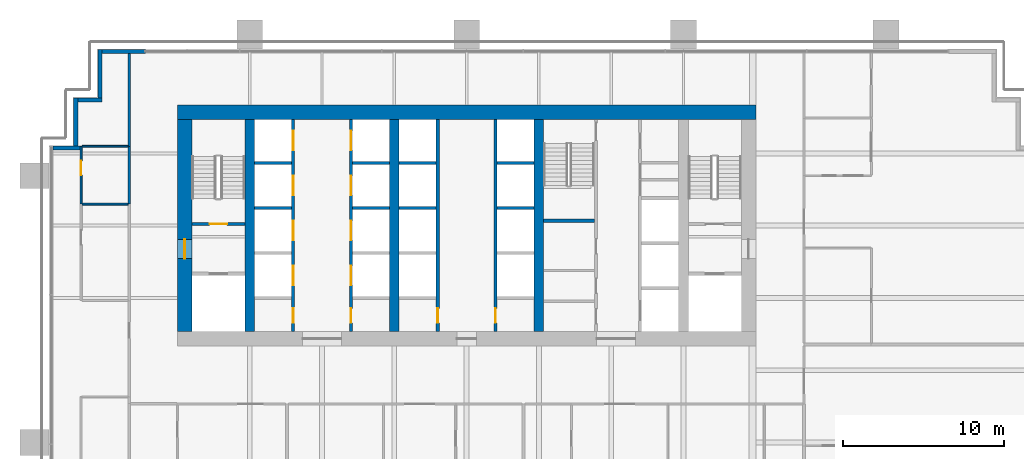
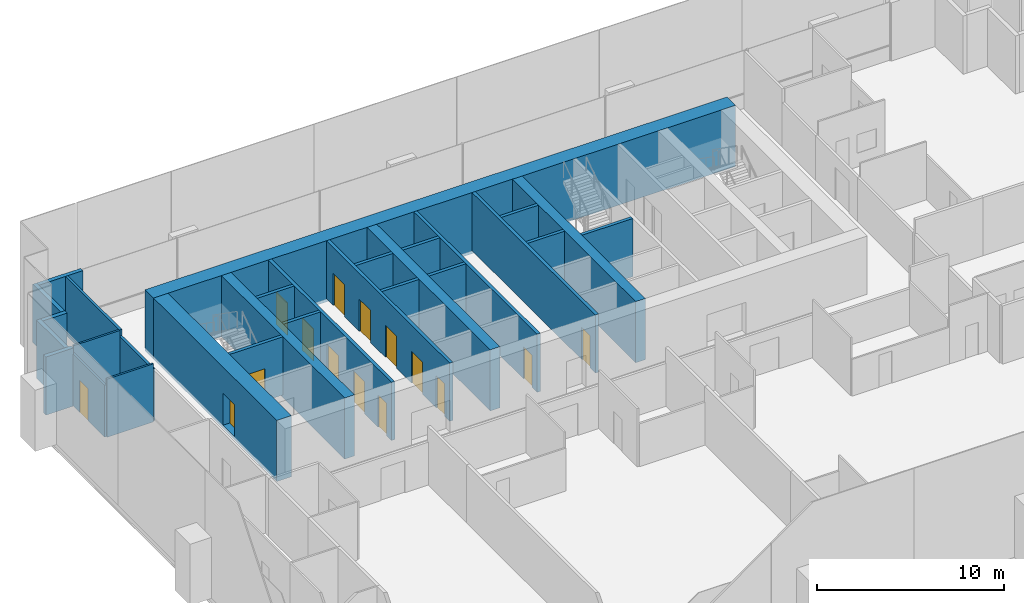
# One storey, part 14 of 19: 29 walls, 15 doors, 15 openings.
"""IFC4 building model written with IfcOpenShell, lengths in metres."""

from ifc_helpers import new_model, si_unit, direction, frame, frame_2d, origin, place, context, subcontext, project, spatial, rectangle, extrude, material, layer, layer_set, type_object, element, fill, save


model = new_model("IFC4")

# Units and contexts
model_context = context("Model", 3, precision=1e-05, world=origin(), true_north=direction((0.0, 1.0)))
body_context = subcontext(model_context, "Body", "Model", "MODEL_VIEW")
ifc_project = project(units=[si_unit("LENGTHUNIT", "METRE"), si_unit("AREAUNIT", "SQUARE_METRE"), si_unit("VOLUMEUNIT", "CUBIC_METRE"), si_unit("PLANEANGLEUNIT", "RADIAN"), si_unit("MASSUNIT", "GRAM", prefix="KILO")], contexts=[model_context])

# Site, building, storey
site_placement = place(None, origin())
site = spatial("IfcSite", under=ifc_project, at=site_placement, CompositionType="ELEMENT")
building_placement = place(site_placement, origin())
building = spatial("IfcBuilding", under=site, at=building_placement, Name="Rattan Terrace Tower", CompositionType="ELEMENT")
storey_placement = place(building_placement, frame((0.0, 0.0, 79.699951171875)))
storey = spatial("IfcBuildingStorey", under=building, at=storey_placement, Name="L17", CompositionType="ELEMENT", Elevation=79.699951171875)

# Wall, opening, door
ifc_material_1 = material(Name="Gypsum board partition")
ifc_layer_1 = layer(ifc_material_1, 0.199951171875)
ifc_layer_set_1 = layer_set([ifc_layer_1], Name="Core partition 200")
wall_type_1 = type_object("IfcWallType", Name="Core partition 200", PredefinedType="PARTITIONING", material=ifc_layer_set_1)
wall_1_placement = place(storey_placement, frame((-17.10009765625, 0.10009765625, 0.0), z_axis=(0.0, 0.0, 1.0), x_axis=(1.0, 0.0, 0.0)))
wall_1 = element("IfcWall", 1, at=wall_1_placement, inside=storey, type_object=wall_type_1, Name="Stair enclosure wall", PredefinedType="PARTITIONING", context=body_context, shape_type="SweptSolid", body=[
    extrude(rectangle(XDim=3.300048828125, YDim=0.199951171875, at=frame_2d((1.64990234375, 0.0))), origin(), (0.0, 0.0, 1.0), 3.800048828125),
])
opening_1_placement = place(wall_1_placement, frame((1.10009765625, 0.0, 0.0)))
opening_1 = element("IfcOpeningElement", 2, at=opening_1_placement, cuts=wall_1, Name="Opening L17-D002", PredefinedType="OPENING", context=body_context, shape_type="SweptSolid", body=[
    extrude(rectangle(XDim=1.10009765625, YDim=2.10009765625, at=frame_2d((0.550048828125, 1.050048828125))), frame((0.0, 0.110595703125, 0.0), z_axis=(0.0, -1.0, 0.0), x_axis=(1.0, 0.0, 0.0)), (0.0, 0.0, 1.0), 0.220947265625),
])
ifc_material_2 = material(Name="Hollow-metal fire door leaf")
door_type_1 = type_object("IfcDoorType", Name="Core stair door 1100", OperationType="NOTDEFINED", PredefinedType="DOOR", material=ifc_material_2)
door_1_placement = place(opening_1_placement, origin())
door_1 = element("IfcDoor", 3, at=door_1_placement, inside=storey, type_object=door_type_1, Name="Door L17-D002", OperationType="SINGLE_SWING_LEFT", OverallHeight=2.10009765625, OverallWidth=1.10009765625, PredefinedType="DOOR", context=body_context, shape_type="SweptSolid", body=[
    extrude(rectangle(XDim=1.10009765625, YDim=2.10009765625, at=frame_2d((0.550048828125, 1.050048828125))), frame((0.0, 0.02490234375, 0.0), z_axis=(0.0, -1.0, 0.0), x_axis=(1.0, 0.0, 0.0)), (0.0, 0.0, 1.0), 0.050048828125),
])
fill(opening_1, door_1)

# Walls
wall_2_placement = place(storey_placement, frame((4.800048828125, 0.300048828125, 0.0), z_axis=(0.0, 0.0, 1.0), x_axis=(1.0, 0.0, 0.0)))
element("IfcWall", 4, at=wall_2_placement, inside=storey, type_object=wall_type_1, Name="Stair enclosure wall", PredefinedType="PARTITIONING", context=body_context, shape_type="SweptSolid", body=[
    extrude(rectangle(XDim=3.14990234375, YDim=0.199951171875, at=frame_2d((1.574951171875, 0.0))), origin(), (0.0, 0.0, 1.0), 3.800048828125),
])
ifc_material_3 = material(Name="Concrete C70/85", Category="concrete")
ifc_layer_2 = layer(ifc_material_3, 0.89990234375)
ifc_layer_set_2 = layer_set([ifc_layer_2], Name="Core ring wall 900 C70/85")
wall_type_2 = type_object("IfcWallType", Name="Core ring wall 900 C70/85", PredefinedType="SHEAR", material=ifc_layer_set_2)
wall_3_placement = place(storey_placement, frame((-18.0, 7.050048828125, -0.199951171875), z_axis=(0.0, 0.0, 1.0), x_axis=(1.0, 0.0, 0.0)))
element("IfcWall", 5, at=wall_3_placement, inside=storey, type_object=wall_type_2, Name="Rear core wall north", PredefinedType="SHEAR", context=body_context, shape_type="SweptSolid", body=[
    extrude(rectangle(XDim=36.0, YDim=0.89990234375, at=frame_2d((18.0, 0.0))), origin(), (0.0, 0.0, 1.0), 4.0),
])

# Wall, opening, door
wall_4_placement = place(storey_placement, frame((-17.550048828125, -6.60009765625, -0.199951171875), z_axis=(0.0, 0.0, 1.0), x_axis=(0.0, 1.0, 0.0)))
wall_4 = element("IfcWall", 6, at=wall_4_placement, inside=storey, type_object=wall_type_2, Name="Rear core wall west", PredefinedType="SHEAR", context=body_context, shape_type="SweptSolid", body=[
    extrude(rectangle(XDim=13.2001953125, YDim=0.89990234375, at=frame_2d((6.60009765625, 0.0))), origin(), (0.0, 0.0, 1.0), 4.0),
])
opening_2_placement = place(wall_4_placement, frame((4.550048828125, 0.0, 0.199951171875)))
opening_2 = element("IfcOpeningElement", 7, at=opening_2_placement, cuts=wall_4, Name="Opening L17-D001", PredefinedType="OPENING", context=body_context, shape_type="SweptSolid", body=[
    extrude(rectangle(XDim=1.199951171875, YDim=2.10009765625, at=frame_2d((0.60009765625, 1.050048828125))), frame((0.0, 0.46044921875, 0.0), z_axis=(0.0, -1.0, 0.0), x_axis=(1.0, 0.0, 0.0)), (0.0, 0.0, 1.0), 0.9208984375),
])
ifc_material_4 = material(Name="Hollow-metal fire door leaf")
door_type_2 = type_object("IfcDoorType", Name="Core fire-fighting lobby door 1200", OperationType="NOTDEFINED", PredefinedType="DOOR", material=ifc_material_4)
door_2_placement = place(opening_2_placement, origin())
door_2 = element("IfcDoor", 8, at=door_2_placement, inside=storey, type_object=door_type_2, Name="Door L17-D001", OperationType="SINGLE_SWING_RIGHT", OverallHeight=2.10009765625, OverallWidth=1.199951171875, PredefinedType="DOOR", context=body_context, shape_type="SweptSolid", body=[
    extrude(rectangle(XDim=1.199951171875, YDim=2.10009765625, at=frame_2d((0.60009765625, 1.050048828125))), frame((0.0, 0.02490234375, 0.0), z_axis=(0.0, -1.0, 0.0), x_axis=(1.0, 0.0, 0.0)), (0.0, 0.0, 1.0), 0.050048828125),
])
fill(opening_2, door_2)

# Walls
ifc_material_5 = material(Name="Concrete C70/85", Category="concrete")
ifc_layer_3 = layer(ifc_material_5, 0.60009765625)
ifc_layer_set_3 = layer_set([ifc_layer_3], Name="Core spine wall 600 C70/85")
wall_type_3 = type_object("IfcWallType", Name="Core spine wall 600 C70/85", PredefinedType="SHEAR", material=ifc_layer_set_3)
for number, where, z_axis, x_axis, name in (
    (9, (-13.5, -6.60009765625, -0.199951171875), (0.0, 0.0, 1.0), (0.0, 1.0, 0.0), "Core spine wall 1"),
    (10, (-4.5, -6.60009765625, -0.199951171875), (0.0, 0.0, 1.0), (0.0, 1.0, 0.0), "Core spine wall 2"),
    (11, (4.5, -6.60009765625, -0.199951171875), (0.0, 0.0, 1.0), (0.0, 1.0, 0.0), "Core spine wall 3"),
):
    element("IfcWall", number, at=place(storey_placement, frame(where, z_axis=z_axis, x_axis=x_axis)), inside=storey, type_object=wall_type_3, Name=name, PredefinedType="SHEAR", context=body_context, shape_type="SweptSolid", body=[
        extrude(rectangle(XDim=13.2001953125, YDim=0.60009765625, at=frame_2d((6.60009765625, 0.0))), origin(), (0.0, 0.0, 1.0), 4.0),
    ])
ifc_material_6 = material(Name="Insulated aluminium-clad stud wall", Category="aluminium")
ifc_layer_4 = layer(ifc_material_6, 0.25)
ifc_layer_set_4 = layer_set([ifc_layer_4], Name="Facade Riser Wall 250")
wall_type_4 = type_object("IfcWallType", Name="Facade Riser Wall 250", PredefinedType="SOLIDWALL", material=ifc_layer_set_4)
wall_5_placement = place(storey_placement, frame((-20.0, 10.830078125, 0.0), z_axis=(0.0, 0.0, 1.0), x_axis=(-1.0, 0.0, 0.0)))
element("IfcWall", 12, at=wall_5_placement, inside=storey, type_object=wall_type_4, Name="Riser wall L17-11", PredefinedType="SOLIDWALL", context=body_context, shape_type="SweptSolid", body=[
    extrude(rectangle(XDim=2.705078125, YDim=0.25, at=frame_2d((1.3525390625, 0.0))), origin(), (0.0, 0.0, 1.0), 3.800048828125),
])
wall_6_placement = place(storey_placement, frame((-22.830078125, 10.955078125, 0.0), z_axis=(0.0, 0.0, 1.0), x_axis=(0.0, -1.0, 0.0)))
element("IfcWall", 13, at=wall_6_placement, inside=storey, type_object=wall_type_4, Name="Riser wall L17-12", PredefinedType="SOLIDWALL", context=body_context, shape_type="SweptSolid", body=[
    extrude(rectangle(XDim=3.0, YDim=0.25, at=frame_2d((1.5, 0.0))), origin(), (0.0, 0.0, 1.0), 3.800048828125),
])
wall_7_placement = place(storey_placement, frame((-22.705078125, 7.830078125, 0.0), z_axis=(0.0, 0.0, 1.0), x_axis=(-1.0, 0.0, 0.0)))
element("IfcWall", 14, at=wall_7_placement, inside=storey, type_object=wall_type_4, Name="Riser wall L17-13", PredefinedType="SOLIDWALL", context=body_context, shape_type="SweptSolid", body=[
    extrude(rectangle(XDim=1.5, YDim=0.25, at=frame_2d((0.75, 0.0))), origin(), (0.0, 0.0, 1.0), 3.800048828125),
])
wall_8_placement = place(storey_placement, frame((-24.330078125, 7.955078125, 0.0), z_axis=(0.0, 0.0, 1.0), x_axis=(0.0, -1.0, 0.0)))
element("IfcWall", 15, at=wall_8_placement, inside=storey, type_object=wall_type_4, Name="Riser wall L17-14", PredefinedType="SOLIDWALL", context=body_context, shape_type="SweptSolid", body=[
    extrude(rectangle(XDim=3.0, YDim=0.25, at=frame_2d((1.5, 0.0))), origin(), (0.0, 0.0, 1.0), 3.800048828125),
])
wall_9_placement = place(storey_placement, frame((-24.054931640625, 4.830078125, 0.0), z_axis=(0.0, 0.0, 1.0), x_axis=(-1.0, 0.0, 0.0)))
element("IfcWall", 16, at=wall_9_placement, inside=storey, type_object=wall_type_4, Name="Riser wall L17-15", PredefinedType="SOLIDWALL", context=body_context, shape_type="SweptSolid", body=[
    extrude(rectangle(XDim=1.695068359375, YDim=0.25, at=frame_2d((0.84765625, 0.0))), origin(), (0.0, 0.0, 1.0), 3.800048828125),
])
ifc_material_7 = material(Name="Gypsum board partition on steel studs, fire rated", Category="steel")
ifc_layer_5 = layer(ifc_material_7, 0.14990234375)
ifc_layer_set_5 = layer_set([ifc_layer_5], Name="Floors Tenancy Wall 150")
wall_type_5 = type_object("IfcWallType", Name="Floors Tenancy Wall 150", PredefinedType="PARTITIONING", material=ifc_layer_set_5)
wall_10_placement = place(storey_placement, frame((-21.0, 4.919921875, 0.0), z_axis=(0.0, 0.0, 1.0), x_axis=(0.0, 1.0, 0.0)))
element("IfcWall", 17, at=wall_10_placement, inside=storey, type_object=wall_type_5, Name="pt-L17-002", PredefinedType="PARTITIONING", context=body_context, shape_type="SweptSolid", body=[
    extrude(rectangle(XDim=5.820068359375, YDim=0.14990234375, at=frame_2d((2.91015625, 0.0))), origin(), (0.0, 0.0, 1.0), 3.800048828125),
])
wall_11_placement = place(storey_placement, frame((-21.0, 1.360107421875, 0.0), z_axis=(0.0, 0.0, 1.0), x_axis=(0.0, 1.0, 0.0)))
element("IfcWall", 18, at=wall_11_placement, inside=storey, type_object=wall_type_5, Name="pt-L17-005", PredefinedType="PARTITIONING", context=body_context, shape_type="SweptSolid", body=[
    extrude(rectangle(XDim=3.559814453125, YDim=0.14990234375, at=frame_2d((1.77978515625, 0.0))), origin(), (0.0, 0.0, 1.0), 3.400146484375),
])

# Wall, opening, door
ifc_material_8 = material(Name="Moisture resistant gypsum board partition on steel studs with service cavity", Category="steel")
ifc_layer_6 = layer(ifc_material_8, 0.1201171875)
ifc_layer_set_6 = layer_set([ifc_layer_6], Name="Floors Wet Wall 120")
wall_type_6 = type_object("IfcWallType", Name="Floors Wet Wall 120", PredefinedType="PARTITIONING", material=ifc_layer_set_6)
wall_12_placement = place(storey_placement, frame((-24.0, 4.93994140625, 0.0), z_axis=(0.0, 0.0, 1.0), x_axis=(0.0, -1.0, 0.0)))
wall_12 = element("IfcWall", 19, at=wall_12_placement, inside=storey, type_object=wall_type_6, Name="pt-L17-027", PredefinedType="PARTITIONING", context=body_context, shape_type="SweptSolid", body=[
    extrude(rectangle(XDim=3.579833984375, YDim=0.1201171875, at=frame_2d((1.7900390625, 0.0))), origin(), (0.0, 0.0, 1.0), 3.400146484375),
])
opening_3_placement = place(wall_12_placement, frame((0.904052734375, 0.0, 0.0)))
opening_3 = element("IfcOpeningElement", 20, at=opening_3_placement, cuts=wall_12, Name="Opening L17-D105", PredefinedType="OPENING", context=body_context, shape_type="SweptSolid", body=[
    extrude(rectangle(XDim=0.89990234375, YDim=2.10009765625, at=frame_2d((0.449951171875, 1.050048828125))), frame((0.0, 0.070556640625, 0.0), z_axis=(0.0, -1.0, 0.0), x_axis=(1.0, 0.0, 0.0)), (0.0, 0.0, 1.0), 0.14111328125),
])
ifc_material_9 = material(Name="Solid core timber door, painted", Category="wood")
door_type_3 = type_object("IfcDoorType", Name="Floors Door 900x2100", OperationType="NOTDEFINED", PredefinedType="DOOR", material=ifc_material_9)
door_3_placement = place(opening_3_placement, origin())
door_3 = element("IfcDoor", 21, at=door_3_placement, inside=storey, type_object=door_type_3, Name="d-L17-105", OperationType="SINGLE_SWING_LEFT", OverallHeight=2.10009765625, OverallWidth=0.89990234375, PredefinedType="DOOR", context=body_context, shape_type="SweptSolid", body=[
    extrude(rectangle(XDim=0.89990234375, YDim=2.10009765625, at=frame_2d((0.449951171875, 1.050048828125))), frame((0.0, 0.02490234375, 0.0), z_axis=(0.0, -1.0, 0.0), x_axis=(1.0, 0.0, 0.0)), (0.0, 0.0, 1.0), 0.050048828125),
])
fill(opening_3, door_3)

# Walls
for number, where, z_axis, x_axis, name in (
    (22, (-21.074951171875, 4.93994140625, 0.0), (0.0, 0.0, 1.0), (-1.0, 0.0, 0.0), "pt-L17-028"),
    (23, (-23.93994140625, 1.340087890625, 0.0), (0.0, 0.0, 1.0), (1.0, 0.0, 0.0), "pt-L17-036"),
):
    element("IfcWall", number, at=place(storey_placement, frame(where, z_axis=z_axis, x_axis=x_axis)), inside=storey, type_object=wall_type_6, Name=name, PredefinedType="PARTITIONING", context=body_context, shape_type="SweptSolid", body=[
        extrude(rectangle(XDim=2.864990234375, YDim=0.1201171875, at=frame_2d((1.4326171875, 0.0))), origin(), (0.0, 0.0, 1.0), 3.800048828125),
    ])

# Wall, openings, doors
ifc_material_10 = material(Name="Gypsum shaft wall system")
ifc_layer_7 = layer(ifc_material_10, 0.199951171875)
ifc_layer_set_7 = layer_set([ifc_layer_7], Name="Lift shaft wall 200")
wall_type_7 = type_object("IfcWallType", Name="Lift shaft wall 200", PredefinedType="PARTITIONING", material=ifc_layer_set_7)
wall_13_placement = place(storey_placement, frame((-10.800048828125, -6.60009765625, 0.0), z_axis=(0.0, 0.0, 1.0), x_axis=(0.0, 1.0, 0.0)))
wall_13 = element("IfcWall", 24, at=wall_13_placement, inside=storey, type_object=wall_type_7, Name="Lift shaft front wall", PredefinedType="PARTITIONING", context=body_context, shape_type="SweptSolid", body=[
    extrude(rectangle(XDim=13.2001953125, YDim=0.199951171875, at=frame_2d((6.60009765625, 0.0))), origin(), (0.0, 0.0, 1.0), 3.800048828125),
])
opening_4_placement = place(wall_13_placement, frame((0.550048828125, 0.0, 0.0)))
opening_4 = element("IfcOpeningElement", 25, at=opening_4_placement, cuts=wall_13, Name="Opening L17-D005", PredefinedType="OPENING", context=body_context, shape_type="SweptSolid", body=[
    extrude(rectangle(XDim=0.89990234375, YDim=2.10009765625, at=frame_2d((0.449951171875, 1.050048828125))), frame((0.0, 0.110595703125, 0.0), z_axis=(0.0, -1.0, 0.0), x_axis=(1.0, 0.0, 0.0)), (0.0, 0.0, 1.0), 0.220947265625),
])
opening_5_placement = place(wall_13_placement, frame((2.89990234375, 0.0, 0.0)))
opening_5 = element("IfcOpeningElement", 26, at=opening_5_placement, cuts=wall_13, Name="Opening L17-LD-LR1", PredefinedType="OPENING", context=body_context, shape_type="SweptSolid", body=[
    extrude(rectangle(XDim=1.199951171875, YDim=2.10009765625, at=frame_2d((0.60009765625, 1.050048828125))), frame((0.0, 0.110595703125, 0.0), z_axis=(0.0, -1.0, 0.0), x_axis=(1.0, 0.0, 0.0)), (0.0, 0.0, 1.0), 0.220947265625),
])
opening_6_placement = place(wall_13_placement, frame((5.699951171875, 0.0, 0.0)))
opening_6 = element("IfcOpeningElement", 27, at=opening_6_placement, cuts=wall_13, Name="Opening L17-LD-LR2", PredefinedType="OPENING", context=body_context, shape_type="SweptSolid", body=[
    extrude(rectangle(XDim=1.199951171875, YDim=2.10009765625, at=frame_2d((0.60009765625, 1.050048828125))), frame((0.0, 0.110595703125, 0.0), z_axis=(0.0, -1.0, 0.0), x_axis=(1.0, 0.0, 0.0)), (0.0, 0.0, 1.0), 0.220947265625),
])
opening_7_placement = place(wall_13_placement, frame((8.5, 0.0, 0.0)))
opening_7 = element("IfcOpeningElement", 28, at=opening_7_placement, cuts=wall_13, Name="Opening L17-LD-LR3", PredefinedType="OPENING", context=body_context, shape_type="SweptSolid", body=[
    extrude(rectangle(XDim=1.199951171875, YDim=2.10009765625, at=frame_2d((0.60009765625, 1.050048828125))), frame((0.0, 0.110595703125, 0.0), z_axis=(0.0, -1.0, 0.0), x_axis=(1.0, 0.0, 0.0)), (0.0, 0.0, 1.0), 0.220947265625),
])
opening_8_placement = place(wall_13_placement, frame((11.300048828125, 0.0, 0.0)))
opening_8 = element("IfcOpeningElement", 29, at=opening_8_placement, cuts=wall_13, Name="Opening L17-LD-LR4", PredefinedType="OPENING", context=body_context, shape_type="SweptSolid", body=[
    extrude(rectangle(XDim=1.199951171875, YDim=2.10009765625, at=frame_2d((0.60009765625, 1.050048828125))), frame((0.0, 0.110595703125, 0.0), z_axis=(0.0, -1.0, 0.0), x_axis=(1.0, 0.0, 0.0)), (0.0, 0.0, 1.0), 0.220947265625),
])
ifc_material_11 = material(Name="Brushed stainless landing door panel")
door_type_4 = type_object("IfcDoorType", Name="Core lift landing door 1200", OperationType="DOUBLE_DOOR_SLIDING", PredefinedType="DOOR", material=ifc_material_11)
door_4_placement = place(opening_5_placement, origin())
door_4 = element("IfcDoor", 30, at=door_4_placement, inside=storey, type_object=door_type_4, Name="Door L17-LD-LR1", OperationType="DOUBLE_DOOR_SLIDING", OverallHeight=2.10009765625, OverallWidth=1.199951171875, PredefinedType="DOOR", context=body_context, shape_type="SweptSolid", body=[
    extrude(rectangle(XDim=1.199951171875, YDim=2.10009765625, at=frame_2d((0.60009765625, 1.050048828125))), frame((0.0, 0.02490234375, 0.0), z_axis=(0.0, -1.0, 0.0), x_axis=(1.0, 0.0, 0.0)), (0.0, 0.0, 1.0), 0.050048828125),
])
fill(opening_5, door_4)
door_5_placement = place(opening_6_placement, origin())
door_5 = element("IfcDoor", 31, at=door_5_placement, inside=storey, type_object=door_type_4, Name="Door L17-LD-LR2", OperationType="DOUBLE_DOOR_SLIDING", OverallHeight=2.10009765625, OverallWidth=1.199951171875, PredefinedType="DOOR", context=body_context, shape_type="SweptSolid", body=[
    extrude(rectangle(XDim=1.199951171875, YDim=2.10009765625, at=frame_2d((0.60009765625, 1.050048828125))), frame((0.0, 0.02490234375, 0.0), z_axis=(0.0, -1.0, 0.0), x_axis=(1.0, 0.0, 0.0)), (0.0, 0.0, 1.0), 0.050048828125),
])
fill(opening_6, door_5)
door_6_placement = place(opening_7_placement, origin())
door_6 = element("IfcDoor", 32, at=door_6_placement, inside=storey, type_object=door_type_4, Name="Door L17-LD-LR3", OperationType="DOUBLE_DOOR_SLIDING", OverallHeight=2.10009765625, OverallWidth=1.199951171875, PredefinedType="DOOR", context=body_context, shape_type="SweptSolid", body=[
    extrude(rectangle(XDim=1.199951171875, YDim=2.10009765625, at=frame_2d((0.60009765625, 1.050048828125))), frame((0.0, 0.02490234375, 0.0), z_axis=(0.0, -1.0, 0.0), x_axis=(1.0, 0.0, 0.0)), (0.0, 0.0, 1.0), 0.050048828125),
])
fill(opening_7, door_6)
door_7_placement = place(opening_8_placement, origin())
door_7 = element("IfcDoor", 33, at=door_7_placement, inside=storey, type_object=door_type_4, Name="Door L17-LD-LR4", OperationType="DOUBLE_DOOR_SLIDING", OverallHeight=2.10009765625, OverallWidth=1.199951171875, PredefinedType="DOOR", context=body_context, shape_type="SweptSolid", body=[
    extrude(rectangle(XDim=1.199951171875, YDim=2.10009765625, at=frame_2d((0.60009765625, 1.050048828125))), frame((0.0, 0.02490234375, 0.0), z_axis=(0.0, -1.0, 0.0), x_axis=(1.0, 0.0, 0.0)), (0.0, 0.0, 1.0), 0.050048828125),
])
fill(opening_8, door_7)
ifc_material_12 = material(Name="Hollow-metal fire door leaf")
door_type_5 = type_object("IfcDoorType", Name="Core riser door 900", OperationType="NOTDEFINED", PredefinedType="DOOR", material=ifc_material_12)
door_8_placement = place(opening_4_placement, origin())
door_8 = element("IfcDoor", 34, at=door_8_placement, inside=storey, type_object=door_type_5, Name="Door L17-D005", OperationType="SINGLE_SWING_RIGHT", OverallHeight=2.10009765625, OverallWidth=0.89990234375, PredefinedType="DOOR", context=body_context, shape_type="SweptSolid", body=[
    extrude(rectangle(XDim=0.89990234375, YDim=2.10009765625, at=frame_2d((0.449951171875, 1.050048828125))), frame((0.0, 0.02490234375, 0.0), z_axis=(0.0, -1.0, 0.0), x_axis=(1.0, 0.0, 0.0)), (0.0, 0.0, 1.0), 0.050048828125),
])
fill(opening_4, door_8)

wall_14_placement = place(storey_placement, frame((-7.199951171875, -6.60009765625, 0.0), z_axis=(0.0, 0.0, 1.0), x_axis=(0.0, 1.0, 0.0)))
wall_14 = element("IfcWall", 35, at=wall_14_placement, inside=storey, type_object=wall_type_7, Name="Lift shaft front wall", PredefinedType="PARTITIONING", context=body_context, shape_type="SweptSolid", body=[
    extrude(rectangle(XDim=13.2001953125, YDim=0.199951171875, at=frame_2d((6.60009765625, 0.0))), origin(), (0.0, 0.0, 1.0), 3.800048828125),
])
opening_9_placement = place(wall_14_placement, frame((0.550048828125, 0.0, 0.0)))
opening_9 = element("IfcOpeningElement", 36, at=opening_9_placement, cuts=wall_14, Name="Opening L17-D006", PredefinedType="OPENING", context=body_context, shape_type="SweptSolid", body=[
    extrude(rectangle(XDim=0.89990234375, YDim=2.10009765625, at=frame_2d((0.449951171875, 1.050048828125))), frame((0.0, 0.110595703125, 0.0), z_axis=(0.0, -1.0, 0.0), x_axis=(1.0, 0.0, 0.0)), (0.0, 0.0, 1.0), 0.220947265625),
])
opening_10_placement = place(wall_14_placement, frame((2.89990234375, 0.0, 0.0)))
opening_10 = element("IfcOpeningElement", 37, at=opening_10_placement, cuts=wall_14, Name="Opening L17-LD-LR5", PredefinedType="OPENING", context=body_context, shape_type="SweptSolid", body=[
    extrude(rectangle(XDim=1.199951171875, YDim=2.10009765625, at=frame_2d((0.60009765625, 1.050048828125))), frame((0.0, 0.110595703125, 0.0), z_axis=(0.0, -1.0, 0.0), x_axis=(1.0, 0.0, 0.0)), (0.0, 0.0, 1.0), 0.220947265625),
])
opening_11_placement = place(wall_14_placement, frame((5.699951171875, 0.0, 0.0)))
opening_11 = element("IfcOpeningElement", 38, at=opening_11_placement, cuts=wall_14, Name="Opening L17-LD-LR6", PredefinedType="OPENING", context=body_context, shape_type="SweptSolid", body=[
    extrude(rectangle(XDim=1.199951171875, YDim=2.10009765625, at=frame_2d((0.60009765625, 1.050048828125))), frame((0.0, 0.110595703125, 0.0), z_axis=(0.0, -1.0, 0.0), x_axis=(1.0, 0.0, 0.0)), (0.0, 0.0, 1.0), 0.220947265625),
])
opening_12_placement = place(wall_14_placement, frame((8.5, 0.0, 0.0)))
opening_12 = element("IfcOpeningElement", 39, at=opening_12_placement, cuts=wall_14, Name="Opening L17-LD-LR7", PredefinedType="OPENING", context=body_context, shape_type="SweptSolid", body=[
    extrude(rectangle(XDim=1.199951171875, YDim=2.10009765625, at=frame_2d((0.60009765625, 1.050048828125))), frame((0.0, 0.110595703125, 0.0), z_axis=(0.0, -1.0, 0.0), x_axis=(1.0, 0.0, 0.0)), (0.0, 0.0, 1.0), 0.220947265625),
])
opening_13_placement = place(wall_14_placement, frame((11.300048828125, 0.0, 0.0)))
opening_13 = element("IfcOpeningElement", 40, at=opening_13_placement, cuts=wall_14, Name="Opening L17-LD-LR8", PredefinedType="OPENING", context=body_context, shape_type="SweptSolid", body=[
    extrude(rectangle(XDim=1.199951171875, YDim=2.10009765625, at=frame_2d((0.60009765625, 1.050048828125))), frame((0.0, 0.110595703125, 0.0), z_axis=(0.0, -1.0, 0.0), x_axis=(1.0, 0.0, 0.0)), (0.0, 0.0, 1.0), 0.220947265625),
])
door_9_placement = place(opening_10_placement, origin())
door_9 = element("IfcDoor", 41, at=door_9_placement, inside=storey, type_object=door_type_4, Name="Door L17-LD-LR5", OperationType="DOUBLE_DOOR_SLIDING", OverallHeight=2.10009765625, OverallWidth=1.199951171875, PredefinedType="DOOR", context=body_context, shape_type="SweptSolid", body=[
    extrude(rectangle(XDim=1.199951171875, YDim=2.10009765625, at=frame_2d((0.60009765625, 1.050048828125))), frame((0.0, 0.02490234375, 0.0), z_axis=(0.0, -1.0, 0.0), x_axis=(1.0, 0.0, 0.0)), (0.0, 0.0, 1.0), 0.050048828125),
])
fill(opening_10, door_9)
door_10_placement = place(opening_11_placement, origin())
door_10 = element("IfcDoor", 42, at=door_10_placement, inside=storey, type_object=door_type_4, Name="Door L17-LD-LR6", OperationType="DOUBLE_DOOR_SLIDING", OverallHeight=2.10009765625, OverallWidth=1.199951171875, PredefinedType="DOOR", context=body_context, shape_type="SweptSolid", body=[
    extrude(rectangle(XDim=1.199951171875, YDim=2.10009765625, at=frame_2d((0.60009765625, 1.050048828125))), frame((0.0, 0.02490234375, 0.0), z_axis=(0.0, -1.0, 0.0), x_axis=(1.0, 0.0, 0.0)), (0.0, 0.0, 1.0), 0.050048828125),
])
fill(opening_11, door_10)
door_11_placement = place(opening_12_placement, origin())
door_11 = element("IfcDoor", 43, at=door_11_placement, inside=storey, type_object=door_type_4, Name="Door L17-LD-LR7", OperationType="DOUBLE_DOOR_SLIDING", OverallHeight=2.10009765625, OverallWidth=1.199951171875, PredefinedType="DOOR", context=body_context, shape_type="SweptSolid", body=[
    extrude(rectangle(XDim=1.199951171875, YDim=2.10009765625, at=frame_2d((0.60009765625, 1.050048828125))), frame((0.0, 0.02490234375, 0.0), z_axis=(0.0, -1.0, 0.0), x_axis=(1.0, 0.0, 0.0)), (0.0, 0.0, 1.0), 0.050048828125),
])
fill(opening_12, door_11)
door_12_placement = place(opening_13_placement, origin())
door_12 = element("IfcDoor", 44, at=door_12_placement, inside=storey, type_object=door_type_4, Name="Door L17-LD-LR8", OperationType="DOUBLE_DOOR_SLIDING", OverallHeight=2.10009765625, OverallWidth=1.199951171875, PredefinedType="DOOR", context=body_context, shape_type="SweptSolid", body=[
    extrude(rectangle(XDim=1.199951171875, YDim=2.10009765625, at=frame_2d((0.60009765625, 1.050048828125))), frame((0.0, 0.02490234375, 0.0), z_axis=(0.0, -1.0, 0.0), x_axis=(1.0, 0.0, 0.0)), (0.0, 0.0, 1.0), 0.050048828125),
])
fill(opening_13, door_12)
door_13_placement = place(opening_9_placement, origin())
door_13 = element("IfcDoor", 45, at=door_13_placement, inside=storey, type_object=door_type_5, Name="Door L17-D006", OperationType="SINGLE_SWING_LEFT", OverallHeight=2.10009765625, OverallWidth=0.89990234375, PredefinedType="DOOR", context=body_context, shape_type="SweptSolid", body=[
    extrude(rectangle(XDim=0.89990234375, YDim=2.10009765625, at=frame_2d((0.449951171875, 1.050048828125))), frame((0.0, 0.02490234375, 0.0), z_axis=(0.0, -1.0, 0.0), x_axis=(1.0, 0.0, 0.0)), (0.0, 0.0, 1.0), 0.050048828125),
])
fill(opening_9, door_13)

# Walls
for number, where, z_axis, x_axis, name in (
    (46, (-13.199951171875, 1.10009765625, 0.0), (0.0, 0.0, 1.0), (1.0, 0.0, 0.0), "Lift shaft wall"),
    (47, (-13.199951171875, 3.89990234375, 0.0), (0.0, 0.0, 1.0), (1.0, 0.0, 0.0), "Lift shaft wall"),
    (48, (-7.10009765625, 1.10009765625, 0.0), (0.0, 0.0, 1.0), (1.0, 0.0, 0.0), "Lift shaft wall"),
    (49, (-7.10009765625, 3.89990234375, 0.0), (0.0, 0.0, 1.0), (1.0, 0.0, 0.0), "Lift shaft wall"),
):
    element("IfcWall", number, at=place(storey_placement, frame(where, z_axis=z_axis, x_axis=x_axis)), inside=storey, type_object=wall_type_7, Name=name, PredefinedType="PARTITIONING", context=body_context, shape_type="SweptSolid", body=[
        extrude(rectangle(XDim=2.300048828125, YDim=0.199951171875, at=frame_2d((1.14990234375, 0.0))), origin(), (0.0, 0.0, 1.0), 3.800048828125),
    ])

# Wall, opening, door
wall_15_placement = place(storey_placement, frame((-1.800048828125, -6.60009765625, 0.0), z_axis=(0.0, 0.0, 1.0), x_axis=(0.0, 1.0, 0.0)))
wall_15 = element("IfcWall", 50, at=wall_15_placement, inside=storey, type_object=wall_type_7, Name="Lift shaft front wall", PredefinedType="PARTITIONING", context=body_context, shape_type="SweptSolid", body=[
    extrude(rectangle(XDim=13.2001953125, YDim=0.199951171875, at=frame_2d((6.60009765625, 0.0))), origin(), (0.0, 0.0, 1.0), 3.800048828125),
])
opening_14_placement = place(wall_15_placement, frame((0.550048828125, 0.0, 0.0)))
opening_14 = element("IfcOpeningElement", 51, at=opening_14_placement, cuts=wall_15, Name="Opening L17-D008", PredefinedType="OPENING", context=body_context, shape_type="SweptSolid", body=[
    extrude(rectangle(XDim=0.89990234375, YDim=2.10009765625, at=frame_2d((0.449951171875, 1.050048828125))), frame((0.0, 0.110595703125, 0.0), z_axis=(0.0, -1.0, 0.0), x_axis=(1.0, 0.0, 0.0)), (0.0, 0.0, 1.0), 0.220947265625),
])
door_14_placement = place(opening_14_placement, origin())
door_14 = element("IfcDoor", 52, at=door_14_placement, inside=storey, type_object=door_type_5, Name="Door L17-D008", OperationType="SINGLE_SWING_RIGHT", OverallHeight=2.10009765625, OverallWidth=0.89990234375, PredefinedType="DOOR", context=body_context, shape_type="SweptSolid", body=[
    extrude(rectangle(XDim=0.89990234375, YDim=2.10009765625, at=frame_2d((0.449951171875, 1.050048828125))), frame((0.0, 0.02490234375, 0.0), z_axis=(0.0, -1.0, 0.0), x_axis=(1.0, 0.0, 0.0)), (0.0, 0.0, 1.0), 0.050048828125),
])
fill(opening_14, door_14)

wall_16_placement = place(storey_placement, frame((1.800048828125, -6.60009765625, 0.0), z_axis=(0.0, 0.0, 1.0), x_axis=(0.0, 1.0, 0.0)))
wall_16 = element("IfcWall", 53, at=wall_16_placement, inside=storey, type_object=wall_type_7, Name="Lift shaft front wall", PredefinedType="PARTITIONING", context=body_context, shape_type="SweptSolid", body=[
    extrude(rectangle(XDim=13.2001953125, YDim=0.199951171875, at=frame_2d((6.60009765625, 0.0))), origin(), (0.0, 0.0, 1.0), 3.800048828125),
])
opening_15_placement = place(wall_16_placement, frame((0.550048828125, 0.0, 0.0)))
opening_15 = element("IfcOpeningElement", 54, at=opening_15_placement, cuts=wall_16, Name="Opening L17-D009", PredefinedType="OPENING", context=body_context, shape_type="SweptSolid", body=[
    extrude(rectangle(XDim=0.89990234375, YDim=2.10009765625, at=frame_2d((0.449951171875, 1.050048828125))), frame((0.0, 0.110595703125, 0.0), z_axis=(0.0, -1.0, 0.0), x_axis=(1.0, 0.0, 0.0)), (0.0, 0.0, 1.0), 0.220947265625),
])
door_15_placement = place(opening_15_placement, origin())
door_15 = element("IfcDoor", 55, at=door_15_placement, inside=storey, type_object=door_type_5, Name="Door L17-D009", OperationType="SINGLE_SWING_LEFT", OverallHeight=2.10009765625, OverallWidth=0.89990234375, PredefinedType="DOOR", context=body_context, shape_type="SweptSolid", body=[
    extrude(rectangle(XDim=0.89990234375, YDim=2.10009765625, at=frame_2d((0.449951171875, 1.050048828125))), frame((0.0, 0.02490234375, 0.0), z_axis=(0.0, -1.0, 0.0), x_axis=(1.0, 0.0, 0.0)), (0.0, 0.0, 1.0), 0.050048828125),
])
fill(opening_15, door_15)

# Walls
for number, where, z_axis, x_axis, name in (
    (56, (-4.199951171875, 1.10009765625, 0.0), (0.0, 0.0, 1.0), (1.0, 0.0, 0.0), "Lift shaft wall"),
    (57, (-4.199951171875, 3.89990234375, 0.0), (0.0, 0.0, 1.0), (1.0, 0.0, 0.0), "Lift shaft wall"),
    (58, (1.89990234375, 1.10009765625, 0.0), (0.0, 0.0, 1.0), (1.0, 0.0, 0.0), "Lift shaft wall"),
    (59, (1.89990234375, 3.89990234375, 0.0), (0.0, 0.0, 1.0), (1.0, 0.0, 0.0), "Lift shaft wall"),
):
    element("IfcWall", number, at=place(storey_placement, frame(where, z_axis=z_axis, x_axis=x_axis)), inside=storey, type_object=wall_type_7, Name=name, PredefinedType="PARTITIONING", context=body_context, shape_type="SweptSolid", body=[
        extrude(rectangle(XDim=2.300048828125, YDim=0.199951171875, at=frame_2d((1.14990234375, 0.0))), origin(), (0.0, 0.0, 1.0), 3.800048828125),
    ])

save(model, "model.ifc")
